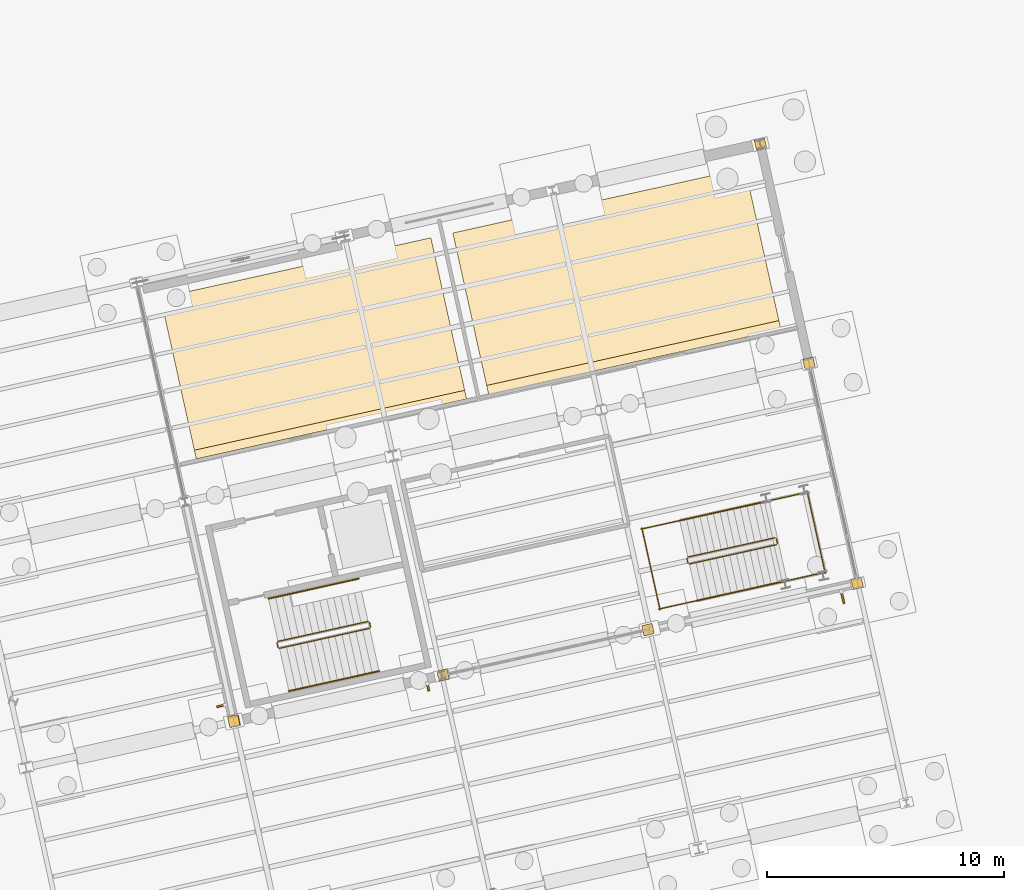
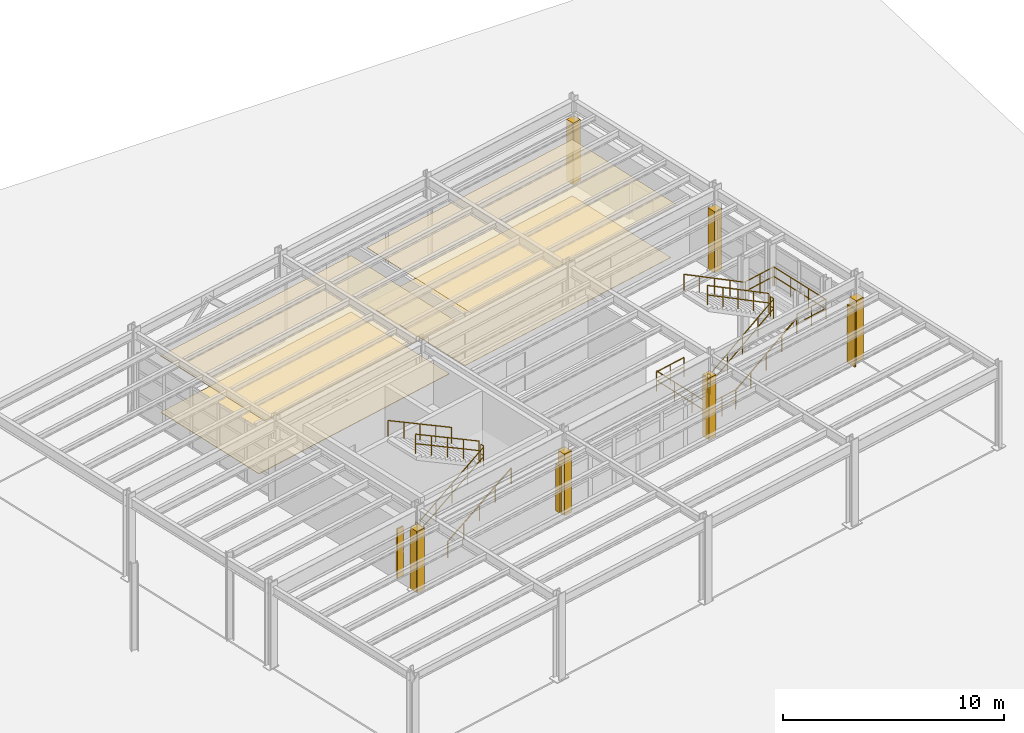
# One storey, part 107 of 108: 18 railings, 11 coverings, 3 shading devices.
"""IFC4 building model written with IfcOpenShell, lengths in metres."""

from ifc_helpers import new_model, si_unit, direction, frame, origin, origin_2d, place, context, subcontext, project, spatial, polyline, rectangle, circle, outline, extrude, material, layer, layer_set, type_object, element, save


model = new_model("IFC4")

# Units and contexts
model_context = context("Model", 3, precision=1e-05, world=origin(), true_north=direction((0.0, 1.0)))
body_context = subcontext(model_context, "Body", "Model", "MODEL_VIEW")
ifc_project = project(units=[si_unit("LENGTHUNIT", "METRE"), si_unit("AREAUNIT", "SQUARE_METRE"), si_unit("VOLUMEUNIT", "CUBIC_METRE"), si_unit("PLANEANGLEUNIT", "RADIAN"), si_unit("MASSUNIT", "GRAM", prefix="KILO")], contexts=[model_context])

# Site, building, storey
site_placement = place(None, origin())
site = spatial("IfcSite", under=ifc_project, at=site_placement, CompositionType="ELEMENT")
building_placement = place(site_placement, origin())
building = spatial("IfcBuilding", under=site, at=building_placement, Name="Vireo Bluff Cable Station", CompositionType="ELEMENT")
storey_placement = place(building_placement, origin())
storey = spatial("IfcBuildingStorey", under=building, at=storey_placement, Name="L00", CompositionType="ELEMENT", Elevation=0.0)

# Coverings
ifc_material_1 = material(Name="Perforated Acoustic Metal Ceiling")
ifc_layer_1 = layer(ifc_material_1, 0.02490234375, Name="Perforated Acoustic Metal Ceiling")
ifc_layer_set_1 = layer_set([ifc_layer_1], Name="Perforated Acoustic Metal Ceiling")
covering_type_1 = type_object("IfcCoveringType", Name="CEILING-ACOUSTIC-25", PredefinedType="CEILING", material=ifc_layer_set_1)
covering_1_placement = place(storey_placement, frame((0.0, 0.0, 3.1201171875)))
element("IfcCovering", 1, at=covering_1_placement, inside=storey, type_object=covering_type_1, Name="V2 L00 Medium-Voltage Switchgear Room acoustic ceiling", PredefinedType="CEILING", context=body_context, shape_type="SweptSolid", body=[
    extrude(outline(polyline([(143.493896484375, 99.045166015625), (155.843994140625, 101.782958984375), (154.332275390625, 108.6025390625), (141.982177734375, 105.864501953125), (143.493896484375, 99.045166015625)])), origin(), (0.0, 0.0, 1.0), 0.02490234375),
])
ifc_layer_2 = layer(ifc_material_1, 0.034912109375, Name="Perforated Acoustic Metal Ceiling")
ifc_layer_set_2 = layer_set([ifc_layer_2], Name="Perforated Acoustic Metal Ceiling")
covering_type_2 = type_object("IfcCoveringType", Name="CEILING-ACOUSTIC-35", PredefinedType="CEILING", material=ifc_layer_set_2)
covering_2_placement = place(storey_placement, frame((0.0, 0.0, 3.1201171875)))
element("IfcCovering", 2, at=covering_2_placement, inside=storey, type_object=covering_type_2, Name="V2 L00 Cable Reel Storage Room acoustic ceiling", PredefinedType="CEILING", context=body_context, shape_type="SweptSolid", body=[
    extrude(outline(polyline([(131.1416015625, 96.31689453125), (142.564208984375, 98.84912109375), (141.0546875, 105.658935546875), (129.632080078125, 103.12646484375), (131.1416015625, 96.31689453125)])), origin(), (0.0, 0.0, 1.0), 0.034912109375),
])
ifc_material_2 = material(Name="Precast concrete f'c 45 MPa", Category="concrete")
ifc_layer_3 = layer(ifc_material_2, 0.0400390625, Name="Precast concrete f'c 45 MPa")
ifc_layer_set_3 = layer_set([ifc_layer_3], Name="Precast concrete f'c 45 MPa")
covering_type_3 = type_object("IfcCoveringType", Name="COL-CLOSURE-WRAP", PredefinedType="CLADDING", material=ifc_layer_set_3)
for number, where, z_axis, x_axis, name in (
    (3, (159.068603515625, 91.061767578125, 0.0), (0.0, 0.0, 1.0), (0.97629600712, 0.216439613938, 0.0), "V2 L00 column pocket closure"),
    (4, (150.229736328125, 89.102294921875, 0.0), (0.0, 0.0, 1.0), (0.97629600712, 0.216439613938, 0.0), "V2 L00 column pocket closure"),
    (5, (141.56689453125, 87.181640625, 0.0), (0.0, 0.0, 1.0), (0.97629600712, 0.216439613938, 0.0), "V2 L00 column pocket closure"),
    (6, (132.7548828125, 85.228271484375, 0.0), (0.0, 0.0, 1.0), (0.97629600712, 0.216439613938, 0.0), "V2 L00 column pocket closure"),
    (7, (132.723876953125, 85.25244140625, 0.0), (0.0, 0.0, 1.0), (0.97629600712, 0.216439613938, 0.0), "V2 L00 column pocket closure"),
    (8, (154.977783203125, 109.61767578125, 0.0), (0.0, 0.0, 1.0), (0.97629600712, 0.216439613938, 0.0), "V2 L00 column pocket closure"),
    (9, (157.029541015625, 100.362548828125, 0.0), (0.0, 0.0, 1.0), (0.97629600712, 0.216439613938, 0.0), "V2 L00 column pocket closure"),
):
    element("IfcCovering", number, at=place(storey_placement, frame(where, z_axis=z_axis, x_axis=x_axis)), inside=storey, type_object=covering_type_3, Name=name, PredefinedType="CLADDING", context=body_context, shape_type="SweptSolid", body=[
        extrude(rectangle(XDim=0.43994140625, YDim=0.43994140625, at=origin_2d()), origin(), (0.0, 0.0, 1.0), 3.39990234375),
    ])
ifc_material_3 = material(Name="Polished Terrazzo Flooring")
ifc_layer_4 = layer(ifc_material_3, 0.02001953125, Name="Polished Terrazzo Flooring")
ifc_layer_set_4 = layer_set([ifc_layer_4], Name="Polished Terrazzo Flooring")
covering_type_4 = type_object("IfcCoveringType", Name="FLOORING-TERRAZZO-20", PredefinedType="FLOORING", material=ifc_layer_set_4)
covering_3_placement = place(storey_placement, origin())
element("IfcCovering", 10, at=covering_3_placement, inside=storey, type_object=covering_type_4, Name="V2 L00 Medium-Voltage Switchgear Room terrazzo finish", PredefinedType="FLOORING", context=body_context, shape_type="SweptSolid", body=[
    extrude(outline(polyline([(143.41064453125, 99.4208984375), (155.7607421875, 102.158935546875), (154.332275390625, 108.6025390625), (141.982177734375, 105.864501953125), (143.41064453125, 99.4208984375)])), origin(), (0.0, 0.0, 1.0), 0.02001953125),
])
ifc_layer_5 = layer(ifc_material_3, 0.030029296875, Name="Polished Terrazzo Flooring")
ifc_layer_set_5 = layer_set([ifc_layer_5], Name="Polished Terrazzo Flooring")
covering_type_5 = type_object("IfcCoveringType", Name="FLOORING-TERRAZZO-30", PredefinedType="FLOORING", material=ifc_layer_set_5)
covering_4_placement = place(storey_placement, origin())
element("IfcCovering", 11, at=covering_4_placement, inside=storey, type_object=covering_type_5, Name="V2 L00 Cable Reel Storage Room terrazzo finish", PredefinedType="FLOORING", context=body_context, shape_type="SweptSolid", body=[
    extrude(outline(polyline([(131.060546875, 96.682861328125), (142.483154296875, 99.21533203125), (141.0546875, 105.658935546875), (129.632080078125, 103.12646484375), (131.060546875, 96.682861328125)])), origin(), (0.0, 0.0, 1.0), 0.030029296875),
])

# Shading devices
ifc_material_4 = material(Name="Extruded Terracotta Solar Fin", Category="masonry")
shading_device_type_1 = type_object("IfcShadingDeviceType", Name="SOLARFIN-320X2600", PredefinedType="SHUTTER", material=ifc_material_4)
shading_device_1_placement = place(storey_placement, frame((140.933349609375, 86.66748046875, 0.550048828125), z_axis=(0.0, 0.0, 1.0), x_axis=(-0.976296028388, -0.216439518005, 0.0)))
element("IfcShadingDevice", 12, at=shading_device_1_placement, inside=storey, type_object=shading_device_type_1, Name="V2 L00 solar brise-soleil fin 12", PredefinedType="SHUTTER", context=body_context, shape_type="SweptSolid", body=[
    extrude(rectangle(XDim=0.080078125, YDim=0.320068359375, at=origin_2d()), origin(), (0.0, 0.0, 1.0), 2.60009765625),
])
shading_device_type_2 = type_object("IfcShadingDeviceType", Name="SOLARFIN-360X2750", PredefinedType="SHUTTER", material=ifc_material_4)
shading_device_2_placement = place(storey_placement, frame((132.18505859375, 85.880859375, 0.47509765625), z_axis=(0.0, 0.0, 1.0), x_axis=(-0.216439644098, 0.976296000434, 0.0)))
element("IfcShadingDevice", 13, at=shading_device_2_placement, inside=storey, type_object=shading_device_type_2, Name="V2 L00 solar brise-soleil fin 13", PredefinedType="SHUTTER", context=body_context, shape_type="SweptSolid", body=[
    extrude(rectangle(XDim=0.080078125, YDim=0.360107421875, at=origin_2d()), origin(), (0.0, 0.0, 1.0), 2.75),
])
shading_device_type_3 = type_object("IfcShadingDeviceType", Name="SOLARFIN-520X3200", PredefinedType="SHUTTER", material=ifc_material_4)
shading_device_3_placement = place(storey_placement, frame((158.455322265625, 90.45458984375, 0.25), z_axis=(0.0, 0.0, 1.0), x_axis=(-0.976296000045, -0.216439645853, 0.0)))
element("IfcShadingDevice", 14, at=shading_device_3_placement, inside=storey, type_object=shading_device_type_3, Name="V2 L00 solar brise-soleil fin 11", PredefinedType="SHUTTER", context=body_context, shape_type="SweptSolid", body=[
    extrude(rectangle(XDim=0.080078125, YDim=0.52001953125, at=origin_2d()), origin(), (0.0, 0.0, 1.0), 3.199951171875),
])

# Railings
ifc_material_5 = material(Name="Stainless Steel 316", Category="steel")
railing_type_1 = type_object("IfcRailingType", Name="STAIR-GUARD-1100", PredefinedType="GUARDRAIL", material=ifc_material_5)
railing_1_placement = place(storey_placement, frame((134.6572265625, 88.31298828125, 0.17138671875)))
element("IfcRailing", 15, at=railing_1_placement, inside=storey, type_object=railing_type_1, Name="L00 ST-04 stair guard 1", PredefinedType="GUARDRAIL", context=body_context, shape_type="SweptSolid", body=[
    extrude(circle(Radius=0.02392578125, at=origin_2d()), frame((0.0, 0.0, 1.076171875), z_axis=(0.847667079932, 0.187947727777, 0.496121127572), x_axis=(-0.216466466135, 0.976290053744, 0.0)), (0.0, 0.0, 1.0), 4.491943359375),
    extrude(circle(Radius=0.02392578125, at=origin_2d()), frame((0.0, 0.0, 0.550048828125), z_axis=(0.847667079932, 0.187947727777, 0.496121127572), x_axis=(-0.216466466135, 0.976290053744, 0.0)), (0.0, 0.0, 1.0), 4.491943359375),
    extrude(circle(Radius=0.02099609375, at=origin_2d()), origin(), (0.0, 0.0, 1.0), 1.052001953125),
    extrude(circle(Radius=0.02099609375, at=origin_2d()), frame((0.951904296875, 0.2109375, 0.55712890625)), (0.0, 0.0, 1.0), 1.052001953125),
    extrude(circle(Radius=0.02099609375, at=origin_2d()), frame((1.90380859375, 0.422119140625, 1.1142578125)), (0.0, 0.0, 1.0), 1.052001953125),
    extrude(circle(Radius=0.02099609375, at=origin_2d()), frame((2.855712890625, 0.63330078125, 1.67138671875)), (0.0, 0.0, 1.0), 1.052001953125),
    extrude(circle(Radius=0.02099609375, at=origin_2d()), frame((3.8076171875, 0.84423828125, 2.228515625)), (0.0, 0.0, 1.0), 1.052001953125),
])
railing_2_placement = place(storey_placement, frame((138.5029296875, 89.216796875, 2.39990234375)))
element("IfcRailing", 16, at=railing_2_placement, inside=storey, type_object=railing_type_1, Name="L00 ST-04 stair guard 2", PredefinedType="GUARDRAIL", context=body_context, shape_type="SweptSolid", body=[
    extrude(circle(Radius=0.02392578125, at=origin_2d()), frame((0.0, 0.0, 1.076171875), z_axis=(-0.217188837468, 0.976129606599, 0.0), x_axis=(-0.976129606599, -0.217188837468, 0.0)), (0.0, 0.0, 1.0), 0.2001953125),
    extrude(circle(Radius=0.02392578125, at=origin_2d()), frame((0.0, 0.0, 0.550048828125), z_axis=(-0.217188837468, 0.976129606599, 0.0), x_axis=(-0.976129606599, -0.217188837468, 0.0)), (0.0, 0.0, 1.0), 0.2001953125),
    extrude(circle(Radius=0.02099609375, at=origin_2d()), origin(), (0.0, 0.0, 1.0), 1.052001953125),
    extrude(circle(Radius=0.02099609375, at=origin_2d()), frame((-0.04345703125, 0.1953125, 0.0)), (0.0, 0.0, 1.0), 1.052001953125),
])
railing_3_placement = place(storey_placement, frame((138.39990234375, 89.449951171875, 2.571533203125)))
element("IfcRailing", 17, at=railing_3_placement, inside=storey, type_object=railing_type_1, Name="L00 ST-04 stair guard 3", PredefinedType="GUARDRAIL", context=body_context, shape_type="SweptSolid", body=[
    extrude(circle(Radius=0.02392578125, at=origin_2d()), frame((0.0, 0.0, 1.076171875), z_axis=(-0.847675737947, -0.187895295337, 0.49612619492), x_axis=(0.216406799411, -0.976303281347, 0.0)), (0.0, 0.0, 1.0), 4.491943359375),
    extrude(circle(Radius=0.02392578125, at=origin_2d()), frame((0.0, 0.0, 0.550048828125), z_axis=(-0.847675737947, -0.187895295337, 0.49612619492), x_axis=(0.216406799411, -0.976303281347, 0.0)), (0.0, 0.0, 1.0), 4.491943359375),
    extrude(circle(Radius=0.02099609375, at=origin_2d()), origin(), (0.0, 0.0, 1.0), 1.052001953125),
    extrude(circle(Radius=0.02099609375, at=origin_2d()), frame((-0.951904296875, -0.2109375, 0.55712890625)), (0.0, 0.0, 1.0), 1.052001953125),
    extrude(circle(Radius=0.02099609375, at=origin_2d()), frame((-1.90380859375, -0.421875, 1.1142578125)), (0.0, 0.0, 1.0), 1.052001953125),
    extrude(circle(Radius=0.02099609375, at=origin_2d()), frame((-2.855712890625, -0.633056640625, 1.67138671875)), (0.0, 0.0, 1.0), 1.052001953125),
    extrude(circle(Radius=0.02099609375, at=origin_2d()), frame((-3.8076171875, -0.843994140625, 2.228515625)), (0.0, 0.0, 1.0), 1.052001953125),
])
railing_4_placement = place(storey_placement, frame((134.59765625, 88.35107421875, 0.0)))
element("IfcRailing", 18, at=railing_4_placement, inside=storey, type_object=railing_type_1, Name="L00 ST-04 stair guard 4", PredefinedType="GUARDRAIL", context=body_context, shape_type="SweptSolid", body=[
    extrude(circle(Radius=0.02392578125, at=origin_2d()), frame((0.0, 0.0, 1.076171875), z_axis=(-0.216025770228, 0.976387662047, 0.0), x_axis=(-0.976387662047, -0.216025770228, 0.0)), (0.0, 0.0, 1.0), 0.199951171875),
    extrude(circle(Radius=0.02392578125, at=origin_2d()), frame((0.0, 0.0, 0.550048828125), z_axis=(-0.216025770228, 0.976387662047, 0.0), x_axis=(-0.976387662047, -0.216025770228, 0.0)), (0.0, 0.0, 1.0), 0.199951171875),
    extrude(circle(Radius=0.02099609375, at=origin_2d()), origin(), (0.0, 0.0, 1.0), 1.052001953125),
    extrude(circle(Radius=0.02099609375, at=origin_2d()), frame((-0.043212890625, 0.1953125, 0.0)), (0.0, 0.0, 1.0), 1.052001953125),
])
railing_5_placement = place(storey_placement, frame((151.9765625, 91.876220703125, 0.17138671875)))
element("IfcRailing", 19, at=railing_5_placement, inside=storey, type_object=railing_type_1, Name="L00 ST-09 stair guard 1", PredefinedType="GUARDRAIL", context=body_context, shape_type="SweptSolid", body=[
    extrude(circle(Radius=0.02392578125, at=origin_2d()), frame((0.0, 0.0, 1.076171875), z_axis=(0.840446156848, 0.186307446019, 0.508861270875), x_axis=(-0.216423026341, 0.976299684354, 0.0)), (0.0, 0.0, 1.0), 4.37939453125),
    extrude(circle(Radius=0.02392578125, at=origin_2d()), frame((0.0, 0.0, 0.550048828125), z_axis=(0.840446156848, 0.186307446019, 0.508861270875), x_axis=(-0.216423026341, 0.976299684354, 0.0)), (0.0, 0.0, 1.0), 4.37939453125),
    extrude(circle(Radius=0.02099609375, at=origin_2d()), origin(), (0.0, 0.0, 1.0), 1.052001953125),
    extrude(circle(Radius=0.02099609375, at=origin_2d()), frame((0.920166015625, 0.2041015625, 0.55712890625)), (0.0, 0.0, 1.0), 1.052001953125),
    extrude(circle(Radius=0.02099609375, at=origin_2d()), frame((1.84033203125, 0.407958984375, 1.1142578125)), (0.0, 0.0, 1.0), 1.052001953125),
    extrude(circle(Radius=0.02099609375, at=origin_2d()), frame((2.760498046875, 0.61181640625, 1.67138671875)), (0.0, 0.0, 1.0), 1.052001953125),
    extrude(circle(Radius=0.02099609375, at=origin_2d()), frame((3.6806640625, 0.81591796875, 2.228515625)), (0.0, 0.0, 1.0), 1.052001953125),
])
railing_6_placement = place(storey_placement, frame((155.6953125, 92.751708984375, 2.39990234375)))
element("IfcRailing", 20, at=railing_6_placement, inside=storey, type_object=railing_type_1, Name="L00 ST-09 stair guard 2", PredefinedType="GUARDRAIL", context=body_context, shape_type="SweptSolid", body=[
    extrude(circle(Radius=0.02392578125, at=origin_2d()), frame((0.0, 0.0, 1.076171875), z_axis=(-0.216025770228, 0.976387662047, 0.0), x_axis=(-0.976387662047, -0.216025770228, 0.0)), (0.0, 0.0, 1.0), 0.199951171875),
    extrude(circle(Radius=0.02392578125, at=origin_2d()), frame((0.0, 0.0, 0.550048828125), z_axis=(-0.216025770228, 0.976387662047, 0.0), x_axis=(-0.976387662047, -0.216025770228, 0.0)), (0.0, 0.0, 1.0), 0.199951171875),
    extrude(circle(Radius=0.02099609375, at=origin_2d()), origin(), (0.0, 0.0, 1.0), 1.052001953125),
    extrude(circle(Radius=0.02099609375, at=origin_2d()), frame((-0.043212890625, 0.1953125, 0.0)), (0.0, 0.0, 1.0), 1.052001953125),
])
railing_7_placement = place(storey_placement, frame((155.999267578125, 91.149658203125, 2.39990234375)))
element("IfcRailing", 21, at=railing_7_placement, inside=storey, type_object=railing_type_1, Name="L00 ST-09 stair guard 3", PredefinedType="GUARDRAIL", context=body_context, shape_type="SweptSolid", body=[
    extrude(circle(Radius=0.02392578125, at=origin_2d()), frame((0.0, 0.0, 1.076171875), z_axis=(0.976317732758, 0.21634159263, 0.0), x_axis=(-0.21634159263, 0.976317732758, 0.0)), (0.0, 0.0, 1.0), 1.800048828125),
    extrude(circle(Radius=0.02392578125, at=origin_2d()), frame((0.0, 0.0, 0.550048828125), z_axis=(0.976317732758, 0.21634159263, 0.0), x_axis=(-0.21634159263, 0.976317732758, 0.0)), (0.0, 0.0, 1.0), 1.800048828125),
    extrude(circle(Radius=0.02099609375, at=origin_2d()), origin(), (0.0, 0.0, 1.0), 1.052001953125),
    extrude(circle(Radius=0.02099609375, at=origin_2d()), frame((0.878662109375, 0.19482421875, 0.0)), (0.0, 0.0, 1.0), 1.052001953125),
    extrude(circle(Radius=0.02099609375, at=origin_2d()), frame((1.75732421875, 0.389404296875, 0.0)), (0.0, 0.0, 1.0), 1.052001953125),
])
railing_8_placement = place(storey_placement, frame((155.25048828125, 94.527587890625, 2.39990234375)))
element("IfcRailing", 22, at=railing_8_placement, inside=storey, type_object=railing_type_1, Name="L00 ST-09 stair guard 4", PredefinedType="GUARDRAIL", context=body_context, shape_type="SweptSolid", body=[
    extrude(circle(Radius=0.02392578125, at=origin_2d()), frame((0.0, 0.0, 1.076171875), z_axis=(0.976289075969, 0.216470875972, 0.0), x_axis=(-0.216470875972, 0.976289075969, 0.0)), (0.0, 0.0, 1.0), 1.800048828125),
    extrude(circle(Radius=0.02392578125, at=origin_2d()), frame((0.0, 0.0, 0.550048828125), z_axis=(0.976289075969, 0.216470875972, 0.0), x_axis=(-0.216470875972, 0.976289075969, 0.0)), (0.0, 0.0, 1.0), 1.800048828125),
    extrude(circle(Radius=0.02099609375, at=origin_2d()), origin(), (0.0, 0.0, 1.0), 1.052001953125),
    extrude(circle(Radius=0.02099609375, at=origin_2d()), frame((0.878662109375, 0.19482421875, 0.0)), (0.0, 0.0, 1.0), 1.052001953125),
    extrude(circle(Radius=0.02099609375, at=origin_2d()), frame((1.75732421875, 0.3896484375, 0.0)), (0.0, 0.0, 1.0), 1.052001953125),
])
railing_9_placement = place(storey_placement, frame((157.718505859375, 91.4794921875, 2.39990234375)))
element("IfcRailing", 23, at=railing_9_placement, inside=storey, type_object=railing_type_1, Name="L00 ST-09 stair guard 5", PredefinedType="GUARDRAIL", context=body_context, shape_type="SweptSolid", body=[
    extrude(circle(Radius=0.02392578125, at=origin_2d()), frame((0.0, 0.0, 1.076171875), z_axis=(-0.216436658224, 0.976296662381, 0.0), x_axis=(-0.976296662381, -0.216436658224, 0.0)), (0.0, 0.0, 1.0), 3.56005859375),
    extrude(circle(Radius=0.02392578125, at=origin_2d()), frame((0.0, 0.0, 0.550048828125), z_axis=(-0.216436658224, 0.976296662381, 0.0), x_axis=(-0.976296662381, -0.216436658224, 0.0)), (0.0, 0.0, 1.0), 3.56005859375),
    extrude(circle(Radius=0.02099609375, at=origin_2d()), origin(), (0.0, 0.0, 1.0), 1.052001953125),
    extrude(circle(Radius=0.02099609375, at=origin_2d()), frame((-0.2568359375, 1.158447265625, 0.0)), (0.0, 0.0, 1.0), 1.052001953125),
    extrude(circle(Radius=0.02099609375, at=origin_2d()), frame((-0.513671875, 2.317138671875, 0.0)), (0.0, 0.0, 1.0), 1.052001953125),
    extrude(circle(Radius=0.02099609375, at=origin_2d()), frame((-0.7705078125, 3.4755859375, 0.0)), (0.0, 0.0, 1.0), 1.052001953125),
])
railing_10_placement = place(storey_placement, frame((155.59228515625, 92.98486328125, 2.571533203125)))
element("IfcRailing", 24, at=railing_10_placement, inside=storey, type_object=railing_type_1, Name="L00 ST-09 stair guard 6", PredefinedType="GUARDRAIL", context=body_context, shape_type="SweptSolid", body=[
    extrude(circle(Radius=0.02392578125, at=origin_2d()), frame((0.0, 0.0, 1.076171875), z_axis=(-0.840446156848, -0.186307446019, 0.508861270875), x_axis=(0.216423026341, -0.976299684354, 0.0)), (0.0, 0.0, 1.0), 4.37939453125),
    extrude(circle(Radius=0.02392578125, at=origin_2d()), frame((0.0, 0.0, 0.550048828125), z_axis=(-0.840446156848, -0.186307446019, 0.508861270875), x_axis=(0.216423026341, -0.976299684354, 0.0)), (0.0, 0.0, 1.0), 4.37939453125),
    extrude(circle(Radius=0.02099609375, at=origin_2d()), origin(), (0.0, 0.0, 1.0), 1.052001953125),
    extrude(circle(Radius=0.02099609375, at=origin_2d()), frame((-0.920166015625, -0.2041015625, 0.55712890625)), (0.0, 0.0, 1.0), 1.052001953125),
    extrude(circle(Radius=0.02099609375, at=origin_2d()), frame((-1.84033203125, -0.407958984375, 1.1142578125)), (0.0, 0.0, 1.0), 1.052001953125),
    extrude(circle(Radius=0.02099609375, at=origin_2d()), frame((-2.760498046875, -0.61181640625, 1.67138671875)), (0.0, 0.0, 1.0), 1.052001953125),
    extrude(circle(Radius=0.02099609375, at=origin_2d()), frame((-3.6806640625, -0.81591796875, 2.228515625)), (0.0, 0.0, 1.0), 1.052001953125),
])
railing_11_placement = place(storey_placement, frame((151.9169921875, 91.9140625, 0.0)))
element("IfcRailing", 25, at=railing_11_placement, inside=storey, type_object=railing_type_1, Name="L00 ST-09 stair guard 7", PredefinedType="GUARDRAIL", context=body_context, shape_type="SweptSolid", body=[
    extrude(circle(Radius=0.02392578125, at=origin_2d()), frame((0.0, 0.0, 1.076171875), z_axis=(-0.216025770228, 0.976387662047, 0.0), x_axis=(-0.976387662047, -0.216025770228, 0.0)), (0.0, 0.0, 1.0), 0.199951171875),
    extrude(circle(Radius=0.02392578125, at=origin_2d()), frame((0.0, 0.0, 0.550048828125), z_axis=(-0.216025770228, 0.976387662047, 0.0), x_axis=(-0.976387662047, -0.216025770228, 0.0)), (0.0, 0.0, 1.0), 0.199951171875),
    extrude(circle(Radius=0.02099609375, at=origin_2d()), origin(), (0.0, 0.0, 1.0), 1.052001953125),
    extrude(circle(Radius=0.02099609375, at=origin_2d()), frame((-0.043212890625, 0.1953125, 0.0)), (0.0, 0.0, 1.0), 1.052001953125),
])
railing_12_placement = place(storey_placement, frame((150.678466796875, 89.969970703125, 0.0)))
element("IfcRailing", 26, at=railing_12_placement, inside=storey, type_object=railing_type_1, Name="L00 ST-09 stair guard 8", PredefinedType="GUARDRAIL", context=body_context, shape_type="SweptSolid", body=[
    extrude(circle(Radius=0.02392578125, at=origin_2d()), frame((0.0, 0.0, 1.076171875), z_axis=(0.976306592655, 0.216391860146, 0.0), x_axis=(-0.216391860146, 0.976306592655, 0.0)), (0.0, 0.0, 1.0), 1.679931640625),
    extrude(circle(Radius=0.02392578125, at=origin_2d()), frame((0.0, 0.0, 0.550048828125), z_axis=(0.976306592655, 0.216391860146, 0.0), x_axis=(-0.216391860146, 0.976306592655, 0.0)), (0.0, 0.0, 1.0), 1.679931640625),
    extrude(circle(Radius=0.02099609375, at=origin_2d()), origin(), (0.0, 0.0, 1.0), 1.052001953125),
    extrude(circle(Radius=0.02099609375, at=origin_2d()), frame((0.820068359375, 0.181640625, 0.0)), (0.0, 0.0, 1.0), 1.052001953125),
    extrude(circle(Radius=0.02099609375, at=origin_2d()), frame((1.64013671875, 0.363525390625, 0.0)), (0.0, 0.0, 1.0), 1.052001953125),
])
railing_13_placement = place(storey_placement, frame((149.9296875, 93.347900390625, 0.0)))
element("IfcRailing", 27, at=railing_13_placement, inside=storey, type_object=railing_type_1, Name="L00 ST-09 stair guard 9", PredefinedType="GUARDRAIL", context=body_context, shape_type="SweptSolid", body=[
    extrude(circle(Radius=0.02392578125, at=origin_2d()), frame((0.0, 0.0, 1.076171875), z_axis=(0.976275881321, 0.216530375583, 0.0), x_axis=(-0.216530375583, 0.976275881321, 0.0)), (0.0, 0.0, 1.0), 1.679931640625),
    extrude(circle(Radius=0.02392578125, at=origin_2d()), frame((0.0, 0.0, 0.550048828125), z_axis=(0.976275881321, 0.216530375583, 0.0), x_axis=(-0.216530375583, 0.976275881321, 0.0)), (0.0, 0.0, 1.0), 1.679931640625),
    extrude(circle(Radius=0.02099609375, at=origin_2d()), origin(), (0.0, 0.0, 1.0), 1.052001953125),
    extrude(circle(Radius=0.02099609375, at=origin_2d()), frame((0.820068359375, 0.181884765625, 0.0)), (0.0, 0.0, 1.0), 1.052001953125),
    extrude(circle(Radius=0.02099609375, at=origin_2d()), frame((1.64013671875, 0.36376953125, 0.0)), (0.0, 0.0, 1.0), 1.052001953125),
])
railing_14_placement = place(storey_placement, frame((150.738037109375, 89.931884765625, 0.0)))
element("IfcRailing", 28, at=railing_14_placement, inside=storey, type_object=railing_type_1, Name="L00 ST-09 stair guard 10", PredefinedType="GUARDRAIL", context=body_context, shape_type="SweptSolid", body=[
    extrude(circle(Radius=0.02392578125, at=origin_2d()), frame((0.0, 0.0, 1.076171875), z_axis=(-0.216436658224, 0.976296662381, 0.0), x_axis=(-0.976296662381, -0.216436658224, 0.0)), (0.0, 0.0, 1.0), 3.56005859375),
    extrude(circle(Radius=0.02392578125, at=origin_2d()), frame((0.0, 0.0, 0.550048828125), z_axis=(-0.216436658224, 0.976296662381, 0.0), x_axis=(-0.976296662381, -0.216436658224, 0.0)), (0.0, 0.0, 1.0), 3.56005859375),
    extrude(circle(Radius=0.02099609375, at=origin_2d()), origin(), (0.0, 0.0, 1.0), 1.052001953125),
    extrude(circle(Radius=0.02099609375, at=origin_2d()), frame((-0.2568359375, 1.158447265625, 0.0)), (0.0, 0.0, 1.0), 1.052001953125),
    extrude(circle(Radius=0.02099609375, at=origin_2d()), frame((-0.513671875, 2.317138671875, 0.0)), (0.0, 0.0, 1.0), 1.052001953125),
    extrude(circle(Radius=0.02099609375, at=origin_2d()), frame((-0.7705078125, 3.4755859375, 0.0)), (0.0, 0.0, 1.0), 1.052001953125),
])
railing_type_2 = type_object("IfcRailingType", Name="STAIR-HANDRAIL-900", PredefinedType="HANDRAIL", material=ifc_material_5)
railing_15_placement = place(storey_placement, frame((135.0576171875, 86.5068359375, 0.17138671875)))
element("IfcRailing", 29, at=railing_15_placement, inside=storey, type_object=railing_type_2, Name="L00 ST-04 stair handrail 1", PredefinedType="HANDRAIL", context=body_context, shape_type="SweptSolid", body=[
    extrude(circle(Radius=0.02392578125, at=origin_2d()), frame((0.0, 0.0, 0.8759765625), z_axis=(0.847667079932, 0.187947727777, 0.496121127572), x_axis=(-0.216466466135, 0.976290053744, 0.0)), (0.0, 0.0, 1.0), 4.491943359375),
    extrude(circle(Radius=0.02099609375, at=origin_2d()), origin(), (0.0, 0.0, 1.0), 0.851806640625),
    extrude(circle(Radius=0.02099609375, at=origin_2d()), frame((0.951904296875, 0.2109375, 0.55712890625)), (0.0, 0.0, 1.0), 0.851806640625),
    extrude(circle(Radius=0.02099609375, at=origin_2d()), frame((1.90380859375, 0.422119140625, 1.1142578125)), (0.0, 0.0, 1.0), 0.851806640625),
    extrude(circle(Radius=0.02099609375, at=origin_2d()), frame((2.855712890625, 0.63330078125, 1.67138671875)), (0.0, 0.0, 1.0), 0.851806640625),
    extrude(circle(Radius=0.02099609375, at=origin_2d()), frame((3.8076171875, 0.84423828125, 2.228515625)), (0.0, 0.0, 1.0), 0.851806640625),
])
railing_16_placement = place(storey_placement, frame((137.99951171875, 91.256103515625, 2.571533203125)))
element("IfcRailing", 30, at=railing_16_placement, inside=storey, type_object=railing_type_2, Name="L00 ST-04 stair handrail 2", PredefinedType="HANDRAIL", context=body_context, shape_type="SweptSolid", body=[
    extrude(circle(Radius=0.02392578125, at=origin_2d()), frame((0.0, 0.0, 0.8759765625), z_axis=(-0.847675737947, -0.187895295337, 0.49612619492), x_axis=(0.216406799411, -0.976303281347, 0.0)), (0.0, 0.0, 1.0), 4.491943359375),
    extrude(circle(Radius=0.02099609375, at=origin_2d()), origin(), (0.0, 0.0, 1.0), 0.851806640625),
    extrude(circle(Radius=0.02099609375, at=origin_2d()), frame((-0.951904296875, -0.2109375, 0.55712890625)), (0.0, 0.0, 1.0), 0.851806640625),
    extrude(circle(Radius=0.02099609375, at=origin_2d()), frame((-1.90380859375, -0.421875, 1.1142578125)), (0.0, 0.0, 1.0), 0.851806640625),
    extrude(circle(Radius=0.02099609375, at=origin_2d()), frame((-2.855712890625, -0.633056640625, 1.67138671875)), (0.0, 0.0, 1.0), 0.851806640625),
    extrude(circle(Radius=0.02099609375, at=origin_2d()), frame((-3.8076171875, -0.843994140625, 2.228515625)), (0.0, 0.0, 1.0), 0.851806640625),
])
railing_17_placement = place(storey_placement, frame((152.318603515625, 90.33349609375, 0.17138671875)))
element("IfcRailing", 31, at=railing_17_placement, inside=storey, type_object=railing_type_2, Name="L00 ST-09 stair handrail 1", PredefinedType="HANDRAIL", context=body_context, shape_type="SweptSolid", body=[
    extrude(circle(Radius=0.02392578125, at=origin_2d()), frame((0.0, 0.0, 0.8759765625), z_axis=(0.840437426691, 0.186361257457, 0.508855985065), x_axis=(-0.216484750358, 0.976285999522, 0.0)), (0.0, 0.0, 1.0), 4.37939453125),
    extrude(circle(Radius=0.02099609375, at=origin_2d()), origin(), (0.0, 0.0, 1.0), 0.851806640625),
    extrude(circle(Radius=0.02099609375, at=origin_2d()), frame((0.920166015625, 0.2041015625, 0.55712890625)), (0.0, 0.0, 1.0), 0.851806640625),
    extrude(circle(Radius=0.02099609375, at=origin_2d()), frame((1.84033203125, 0.408203125, 1.1142578125)), (0.0, 0.0, 1.0), 0.851806640625),
    extrude(circle(Radius=0.02099609375, at=origin_2d()), frame((2.760498046875, 0.612060546875, 1.67138671875)), (0.0, 0.0, 1.0), 0.851806640625),
    extrude(circle(Radius=0.02099609375, at=origin_2d()), frame((3.6806640625, 0.816162109375, 2.228515625)), (0.0, 0.0, 1.0), 0.851806640625),
])
railing_18_placement = place(storey_placement, frame((155.25048828125, 94.527587890625, 2.571533203125)))
element("IfcRailing", 32, at=railing_18_placement, inside=storey, type_object=railing_type_2, Name="L00 ST-09 stair handrail 2", PredefinedType="HANDRAIL", context=body_context, shape_type="SweptSolid", body=[
    extrude(circle(Radius=0.02392578125, at=origin_2d()), frame((0.0, 0.0, 0.8759765625), z_axis=(-0.840446156848, -0.186307446019, 0.508861270875), x_axis=(0.216423026341, -0.976299684354, 0.0)), (0.0, 0.0, 1.0), 4.37939453125),
    extrude(circle(Radius=0.02099609375, at=origin_2d()), origin(), (0.0, 0.0, 1.0), 0.851806640625),
    extrude(circle(Radius=0.02099609375, at=origin_2d()), frame((-0.920166015625, -0.2041015625, 0.55712890625)), (0.0, 0.0, 1.0), 0.851806640625),
    extrude(circle(Radius=0.02099609375, at=origin_2d()), frame((-1.84033203125, -0.407958984375, 1.1142578125)), (0.0, 0.0, 1.0), 0.851806640625),
    extrude(circle(Radius=0.02099609375, at=origin_2d()), frame((-2.760498046875, -0.61181640625, 1.67138671875)), (0.0, 0.0, 1.0), 0.851806640625),
    extrude(circle(Radius=0.02099609375, at=origin_2d()), frame((-3.6806640625, -0.81591796875, 2.228515625)), (0.0, 0.0, 1.0), 0.851806640625),
])

save(model, "model.ifc")
